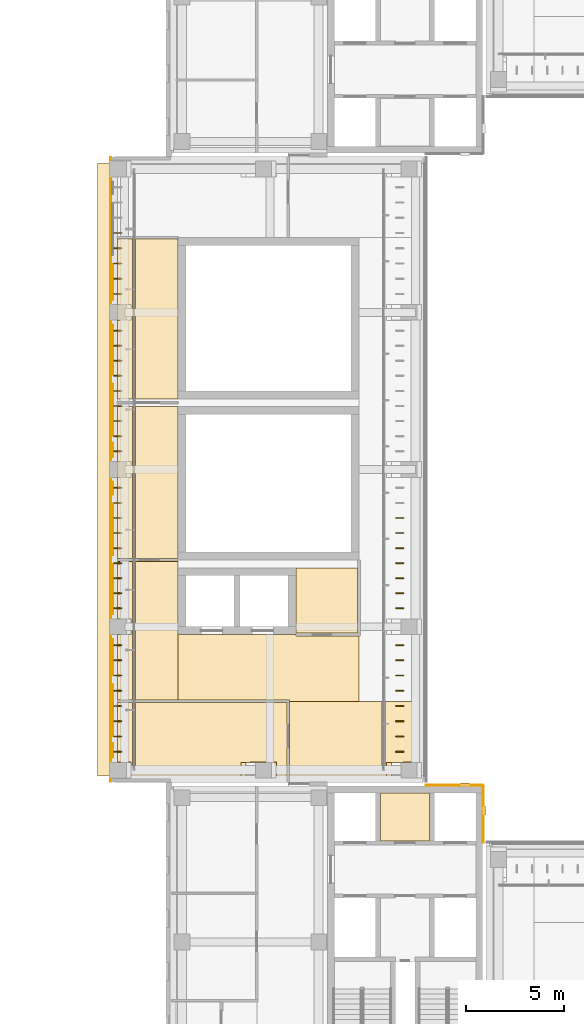
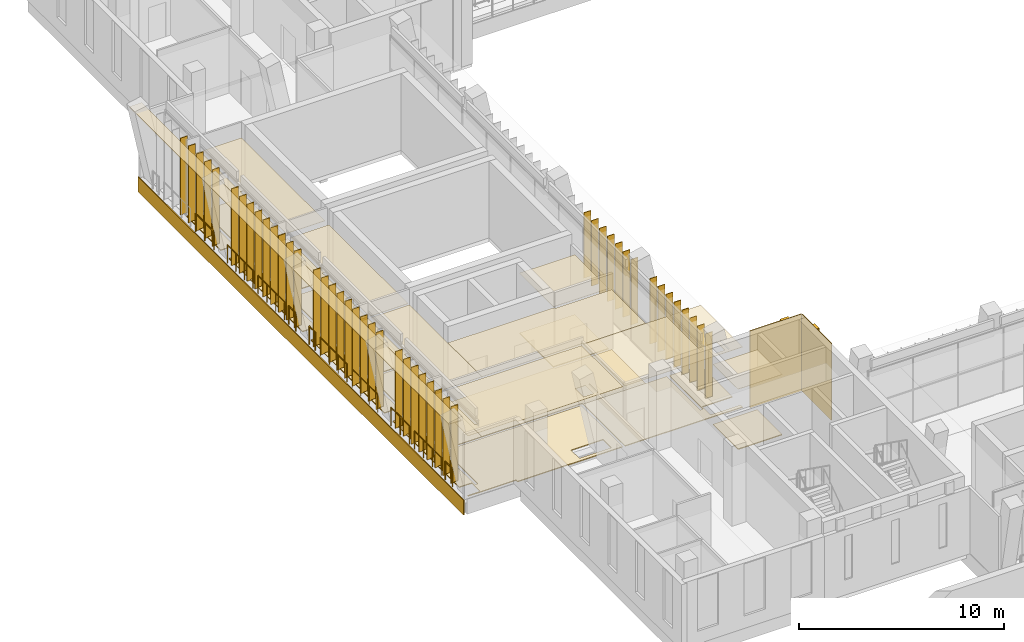
# One storey, part 75 of 89: 46 shading devices, 22 coverings, 10 railings.
"""IFC4 building model written with IfcOpenShell, lengths in metres."""

import ifcopenshell
import ifcopenshell.guid

model = None  # the IFC model being written
_history = None  # IfcOwnerHistory: only IFC2X3 demands one
_inside = {}  # id of a spatial element -> (the spatial element, [elements in it])
_under = {}  # id of a project, library or spatial element -> (it, [spatial elements below it])
_declared = {}  # id of a project -> (the project, [libraries it declares])
_typed = {}  # id of a type object -> (the type object, [elements of that type])
_made_of = {}  # id of a material, layer set ... -> (it, [elements and type objects made of it])


def new_model(schema):
    """Start an empty IFC model of exactly this schema.

    Asked for "IFC4X3", IfcOpenShell would pick the latest addendum, in which some entities
    have other attributes; the version numbers below select the first issue.
    IFC2X3 requires an IfcOwnerHistory on every rooted entity: one is made here for all.
    """
    global model, _history
    if schema == "IFC4X3":
        model = ifcopenshell.file(schema_version=(4, 3, 0, 0))
    else:
        model = ifcopenshell.file(schema=schema)
    _inside.clear()
    _under.clear()
    _declared.clear()
    _typed.clear()
    _made_of.clear()
    _history = None
    if model.schema == "IFC2X3":
        org = make("IfcOrganization", Name="unknown")
        user = make(
            "IfcPersonAndOrganization",
            ThePerson=make("IfcPerson", FamilyName="unknown"),
            TheOrganization=org,
        )
        app = make(
            "IfcApplication",
            ApplicationDeveloper=org,
            Version="unknown",
            ApplicationFullName="unknown",
            ApplicationIdentifier="unknown",
        )
        _history = make(
            "IfcOwnerHistory",
            OwningUser=user,
            OwningApplication=app,
            ChangeAction="ADDED",
            CreationDate=0,
        )
    return model


def make(cls, **values):
    """One entity of the class cls with the attributes given. An attribute that is None is left unset."""
    return model.create_entity(
        cls, **{name: value for name, value in values.items() if value is not None}
    )


def rooted(cls, **values):
    """An entity with a GlobalId (a new one), such as an element, a storey or a relation."""
    return make(cls, GlobalId=ifcopenshell.guid.new(), OwnerHistory=_history, **values)


def si_unit(unit_type, name, prefix=None):
    """IfcSIUnit, for example si_unit("LENGTHUNIT", "METRE", prefix="MILLI")."""
    return make("IfcSIUnit", UnitType=unit_type, Prefix=prefix, Name=name)


def assignment(units):
    """IfcUnitAssignment: the units of a project."""
    return None if units is None else make("IfcUnitAssignment", Units=units)


def point(xyz):
    """IfcCartesianPoint."""
    return None if xyz is None else make("IfcCartesianPoint", Coordinates=xyz)


def direction(xyz):
    """IfcDirection."""
    return None if xyz is None else make("IfcDirection", DirectionRatios=xyz)


def frame(location, z_axis=None, x_axis=None):
    """IfcAxis2Placement3D, a coordinate frame: its origin and axes. An axis left out is left unset."""
    return make(
        "IfcAxis2Placement3D",
        Location=point(location),
        Axis=direction(z_axis),
        RefDirection=direction(x_axis),
    )


def frame_2d(location, x_axis=None):
    """IfcAxis2Placement2D, a coordinate frame in the plane: its origin and x axis."""
    return make(
        "IfcAxis2Placement2D", Location=point(location), RefDirection=direction(x_axis)
    )


def origin():
    """The frame at (0, 0, 0) with its axes left unset."""
    return frame((0.0, 0.0, 0.0))


def origin_2d():
    """The frame at (0, 0) in the plane with its x axis left unset."""
    return frame_2d((0.0, 0.0))


def place(relative_to, where):
    """IfcLocalPlacement: puts the frame where relative to a parent placement (None: the world)."""
    return make(
        "IfcLocalPlacement", PlacementRelTo=relative_to, RelativePlacement=where
    )


def context(
    kind, dimensions, precision=None, world=None, true_north=None, identifier=None
):
    """IfcGeometricRepresentationContext, for example the 3D "Model" context."""
    return make(
        "IfcGeometricRepresentationContext",
        ContextIdentifier=identifier,
        ContextType=kind,
        CoordinateSpaceDimension=dimensions,
        Precision=precision,
        WorldCoordinateSystem=world,
        TrueNorth=true_north,
    )


def subcontext(parent, identifier, kind, view, scale=None):
    """IfcGeometricRepresentationSubContext, for example "Body" below "Model"."""
    return make(
        "IfcGeometricRepresentationSubContext",
        ContextIdentifier=identifier,
        ContextType=kind,
        ParentContext=parent,
        TargetScale=scale,
        TargetView=view,
    )


def project(units=None, contexts=None):
    """IfcProject with its units and contexts."""
    return rooted(
        "IfcProject",
        Name="project",
        RepresentationContexts=contexts,
        UnitsInContext=assignment(units),
    )


def spatial(cls, under=None, at=None, **own):
    """A site, building, storey or space (cls), placed at a placement, below another one or the project."""
    s = rooted(cls, ObjectPlacement=at, **own)
    if under is not None:
        _under.setdefault(under.id(), (under, []))[1].append(s)
    return s


def polyline(points):
    """IfcPolyline through the points."""
    return make("IfcPolyline", Points=[point(p) for p in points])


def profile(cls, at=None, kind="AREA", **sizes):
    """A parametric profile (cls). Its sizes go by their IFC names, for example OverallWidth=200.0."""
    return make(cls, ProfileType=kind, Position=at, **sizes)


def rectangle(**sizes):
    """IfcRectangleProfileDef."""
    return profile("IfcRectangleProfileDef", **sizes)


def circle(**sizes):
    """IfcCircleProfileDef."""
    return profile("IfcCircleProfileDef", **sizes)


def outline(outer, holes=None, kind="AREA"):
    """IfcArbitraryClosedProfileDef: a profile drawn as a closed curve; with holes, ...WithVoids."""
    if holes is None:
        return make("IfcArbitraryClosedProfileDef", ProfileType=kind, OuterCurve=outer)
    return make(
        "IfcArbitraryProfileDefWithVoids",
        ProfileType=kind,
        OuterCurve=outer,
        InnerCurves=holes,
    )


def extrude(swept, where, along, depth):
    """IfcExtrudedAreaSolid: the profile swept, set in the frame where, extruded along a direction by depth."""
    return make(
        "IfcExtrudedAreaSolid",
        SweptArea=swept,
        Position=where,
        ExtrudedDirection=direction(along),
        Depth=depth,
    )


def shape(context_of_items, identifier, shape_type, items):
    """IfcShapeRepresentation: the items that make up one representation, for example the "Body"."""
    return make(
        "IfcShapeRepresentation",
        ContextOfItems=context_of_items,
        RepresentationIdentifier=identifier,
        RepresentationType=shape_type,
        Items=items,
    )


def material(Name=None, Category=None):
    """IfcMaterial."""
    return make("IfcMaterial", Name=Name, Category=Category)


def layer(
    of_material, thickness, ventilated=None, Name=None, Category=None, Priority=None
):
    """IfcMaterialLayer: one layer of a wall or slab, of a material (None: an air gap)."""
    return make(
        "IfcMaterialLayer",
        Material=of_material,
        LayerThickness=thickness,
        IsVentilated=ventilated,
        Name=Name,
        Category=Category,
        Priority=Priority,
    )


def layer_set(layers, Name=None):
    """IfcMaterialLayerSet."""
    return make("IfcMaterialLayerSet", MaterialLayers=layers, LayerSetName=Name)


def made_of(thing, what):
    """Note that an element or type object is made of a material, layer set ...; save() writes the relation."""
    if what is not None:
        _made_of.setdefault(what.id(), (what, []))[1].append(thing)
    return thing


def type_object(cls, material=None, **own):
    """A type object (cls), such as IfcWallType, which elements share."""
    return made_of(rooted(cls, **own), material)


def element(
    cls,
    number,
    at=None,
    inside=None,
    cuts=None,
    type_object=None,
    material=None,
    context=None,
    identifier="Body",
    shape_type=None,
    held_by="IfcProductDefinitionShape",
    body=None,
    shapes=None,
    **own,
):
    """One element of the class cls, such as IfcWall. Its Tag is "e" and its number.

    at: its placement. inside: the storey or other place that contains it. cuts: it is an
    opening in that element (IfcRelVoidsElement). A single representation is given by context,
    identifier, shape_type and body (its items); several are given by shapes. held_by: the class
    of the entity that holds the representations. save() writes the other relations.
    """
    e = rooted(cls, Tag="e%d" % number, ObjectPlacement=at, **own)
    if body is not None:
        shapes = [shape(context, identifier, shape_type, body)]
    if shapes is not None:
        e.Representation = make(held_by, Representations=shapes)
    if inside is not None:
        _inside.setdefault(inside.id(), (inside, []))[1].append(e)
    if cuts is not None:
        rooted(
            "IfcRelVoidsElement", RelatingBuildingElement=cuts, RelatedOpeningElement=e
        )
    if type_object is not None:
        _typed.setdefault(type_object.id(), (type_object, []))[1].append(e)
    return made_of(e, material)


def aggregate(whole, parts):
    """IfcRelAggregates: a whole, such as a stair, and the parts it consists of."""
    return rooted("IfcRelAggregates", RelatingObject=whole, RelatedObjects=parts)


def save(model, path):
    """Write the relations noted so far, then the file.

    IfcRelAggregates (storeys below a building ...), IfcRelContainedInSpatialStructure (elements
    in a storey), IfcRelDefinesByType, IfcRelAssociatesMaterial and IfcRelDeclares: one each for
    every whole, place, type object, material and project.
    """
    for whole, parts in _under.values():
        aggregate(whole, parts)
    for where, things in _inside.values():
        rooted(
            "IfcRelContainedInSpatialStructure",
            RelatedElements=things,
            RelatingStructure=where,
        )
    for kind, things in _typed.values():
        rooted("IfcRelDefinesByType", RelatedObjects=things, RelatingType=kind)
    for what, things in _made_of.values():
        rooted("IfcRelAssociatesMaterial", RelatedObjects=things, RelatingMaterial=what)
    for by, libraries in _declared.values():
        rooted("IfcRelDeclares", RelatingContext=by, RelatedDefinitions=libraries)
    model.write(path)


model = new_model("IFC4")

# Units and contexts
model_context = context("Model", 3, precision=1e-05, world=origin(), true_north=direction((0.0, 1.0)))
body_context = subcontext(model_context, "Body", "Model", "MODEL_VIEW")
ifc_project = project(units=[si_unit("LENGTHUNIT", "METRE"), si_unit("AREAUNIT", "SQUARE_METRE"), si_unit("VOLUMEUNIT", "CUBIC_METRE"), si_unit("PLANEANGLEUNIT", "RADIAN"), si_unit("MASSUNIT", "GRAM", prefix="KILO")], contexts=[model_context])

# Site, building, storey
site_placement = place(None, origin())
site = spatial("IfcSite", under=ifc_project, at=site_placement, CompositionType="ELEMENT")
building_placement = place(site_placement, origin())
building = spatial("IfcBuilding", under=site, at=building_placement, Name="Lantern Court Media Centre", CompositionType="ELEMENT")
storey_placement = place(building_placement, frame((0.0, 0.0, 14.39990234375)))
storey = spatial("IfcBuildingStorey", under=building, at=storey_placement, Name="L03", CompositionType="ELEMENT", Elevation=14.39990234375)

# Coverings
ifc_material_1 = material(Name="Carpet")
ifc_layer_1 = layer(ifc_material_1, 0.050048828125)
ifc_layer_set_1 = layer_set([ifc_layer_1], Name="Carpet")
covering_type_1 = type_object("IfcCoveringType", Name="Carpet floor finish", PredefinedType="FLOORING", material=ifc_layer_set_1)
covering_1_placement = place(storey_placement, origin())
element("IfcCovering", 1, at=covering_1_placement, inside=storey, type_object=covering_type_1, Name="Projection Room Screen 5 floor finish", PredefinedType="FLOORING", context=body_context, shape_type="SweptSolid", body=[
    extrude(outline(polyline([(5.300048828125, 68.132568359375), (6.070068359375, 68.132568359375), (6.074951171875, 64.89501953125), (6.22998046875, 64.89990234375), (6.22998046875, 68.132568359375), (13.9326171875, 68.132568359375), (13.9326171875, 64.10009765625), (8.0048828125, 64.10009765625), (8.00048828125, 64.244873046875), (5.300048828125, 64.2451171875), (5.300048828125, 64.294921875), (6.0048828125, 64.300048828125), (6.00390625, 65.103271484375), (5.300048828125, 65.10498046875), (5.300048828125, 68.132568359375)]), holes=[polyline([(13.39990234375, 64.294921875), (13.40185546875, 65.104736328125), (11.595458984375, 65.101806640625), (11.59814453125, 64.29541015625), (13.39990234375, 64.294921875)])]), origin(), (0.0, 0.0, 1.0), 0.050048828125),
])
covering_2_placement = place(storey_placement, origin())
element("IfcCovering", 2, at=covering_2_placement, inside=storey, type_object=covering_type_1, Name="Cinema Club Room floor finish", PredefinedType="FLOORING", context=body_context, shape_type="SweptSolid", body=[
    extrude(outline(polyline([(8.39501953125, 83.199951171875), (8.39501953125, 75.467529296875), (6.22998046875, 75.467529296875), (6.22509765625, 79.804931640625), (6.070068359375, 79.800048828125), (6.070068359375, 75.467529296875), (5.300048828125, 75.467529296875), (5.300048828125, 79.594970703125), (6.0048828125, 79.60009765625), (6.00390625, 80.403076171875), (5.300048828125, 80.405029296875), (5.300048828125, 83.199951171875), (6.070068359375, 83.199951171875), (6.074951171875, 80.195068359375), (6.22998046875, 80.199462890625), (6.22998046875, 83.199951171875), (8.39501953125, 83.199951171875)])), origin(), (0.0, 0.0, 1.0), 0.050048828125),
])
covering_3_placement = place(storey_placement, origin())
element("IfcCovering", 3, at=covering_3_placement, inside=storey, type_object=covering_type_1, Name="Cinema Club Room floor finish", PredefinedType="FLOORING", context=body_context, shape_type="SweptSolid", body=[
    extrude(outline(polyline([(5.300048828125, 91.7451171875), (6.070068359375, 91.7451171875), (6.074951171875, 88.195068359375), (6.22998046875, 88.199951171875), (6.22998046875, 91.7451171875), (8.39501953125, 91.7451171875), (8.39501953125, 83.60009765625), (6.22998046875, 83.60009765625), (6.22509765625, 87.804931640625), (6.070068359375, 87.800048828125), (6.070068359375, 83.60009765625), (5.300048828125, 83.60009765625), (5.300048828125, 87.594970703125), (6.0048828125, 87.60009765625), (6.00390625, 88.403076171875), (5.300048828125, 88.405029296875), (5.300048828125, 91.7451171875)])), origin(), (0.0, 0.0, 1.0), 0.050048828125),
])
ifc_material_2 = material(Name="Ceramic tile")
ifc_layer_2 = layer(ifc_material_2, 0.050048828125)
ifc_layer_set_2 = layer_set([ifc_layer_2], Name="Ceramic tile")
covering_type_2 = type_object("IfcCoveringType", Name="Ceramic tile floor finish", PredefinedType="FLOORING", material=ifc_layer_set_2)
covering_4_placement = place(storey_placement, origin())
element("IfcCovering", 4, at=covering_4_placement, inside=storey, type_object=covering_type_2, Name="Accessible WC floor finish", PredefinedType="FLOORING", context=body_context, shape_type="SweptSolid", body=[
    extrude(outline(polyline([(17.52001953125, 75.0), (17.52001953125, 71.679931640625), (14.405029296875, 71.679931640625), (14.405029296875, 75.0), (17.52001953125, 75.0)])), origin(), (0.0, 0.0, 1.0), 0.050048828125),
])
covering_5_placement = place(storey_placement, origin())
element("IfcCovering", 5, at=covering_5_placement, inside=storey, type_object=covering_type_2, Name="Accessible WC floor finish", PredefinedType="FLOORING", context=body_context, shape_type="SweptSolid", body=[
    extrude(outline(polyline([(21.195068359375, 63.544921875), (21.195068359375, 61.10498046875), (18.705078125, 61.10498046875), (18.705078125, 63.544921875), (21.195068359375, 63.544921875)])), origin(), (0.0, 0.0, 1.0), 0.050048828125),
])

# Railings
ifc_material_3 = material(Name="Powder-coated steel", Category="steel")
railing_type = type_object("IfcRailingType", Name="Floor edge guard 1100", PredefinedType="GUARDRAIL", material=ifc_material_3)
railing_1_placement = place(storey_placement, frame((5.06005859375, 65.35888671875, 0.0)))
element("IfcRailing", 6, at=railing_1_placement, inside=storey, type_object=railing_type, Name="L03 edge guard 70", PredefinedType="GUARDRAIL", context=body_context, shape_type="SweptSolid", body=[
    extrude(circle(Radius=0.02392578125, at=origin_2d()), frame((0.0, 0.0, 1.076171875), z_axis=(0.0, 1.0, 0.0), x_axis=(-1.0, 0.0, 0.0)), (0.0, 0.0, 1.0), 0.69921875),
    extrude(circle(Radius=0.02099609375, at=origin_2d()), origin(), (0.0, 0.0, 1.0), 1.052001953125),
    extrude(circle(Radius=0.02099609375, at=origin_2d()), frame((0.0, 0.69921875, 0.0)), (0.0, 0.0, 1.0), 1.052001953125),
])
railing_2_placement = place(storey_placement, frame((5.06005859375, 66.4580078125, 0.0)))
element("IfcRailing", 7, at=railing_2_placement, inside=storey, type_object=railing_type, Name="L03 edge guard 71", PredefinedType="GUARDRAIL", context=body_context, shape_type="SweptSolid", body=[
    extrude(circle(Radius=0.02392578125, at=origin_2d()), frame((0.0, 0.0, 1.076171875), z_axis=(0.0, 1.0, 0.0), x_axis=(-1.0, 0.0, 0.0)), (0.0, 0.0, 1.0), 2.597900390625),
    extrude(circle(Radius=0.02099609375, at=origin_2d()), origin(), (0.0, 0.0, 1.0), 1.052001953125),
    extrude(circle(Radius=0.02099609375, at=origin_2d()), frame((0.0, 0.865966796875, 0.0)), (0.0, 0.0, 1.0), 1.052001953125),
    extrude(circle(Radius=0.02099609375, at=origin_2d()), frame((0.0, 1.73193359375, 0.0)), (0.0, 0.0, 1.0), 1.052001953125),
    extrude(circle(Radius=0.02099609375, at=origin_2d()), frame((0.0, 2.597900390625, 0.0)), (0.0, 0.0, 1.0), 1.052001953125),
])
railing_3_placement = place(storey_placement, frame((5.06005859375, 69.554931640625, 0.0)))
element("IfcRailing", 8, at=railing_3_placement, inside=storey, type_object=railing_type, Name="L03 edge guard 72", PredefinedType="GUARDRAIL", context=body_context, shape_type="SweptSolid", body=[
    extrude(circle(Radius=0.02392578125, at=origin_2d()), frame((0.0, 0.0, 1.076171875), z_axis=(0.0, 1.0, 0.0), x_axis=(-1.0, 0.0, 0.0)), (0.0, 0.0, 1.0), 1.799072265625),
    extrude(circle(Radius=0.02099609375, at=origin_2d()), origin(), (0.0, 0.0, 1.0), 1.052001953125),
    extrude(circle(Radius=0.02099609375, at=origin_2d()), frame((0.0, 0.8994140625, 0.0)), (0.0, 0.0, 1.0), 1.052001953125),
    extrude(circle(Radius=0.02099609375, at=origin_2d()), frame((0.0, 1.799072265625, 0.0)), (0.0, 0.0, 1.0), 1.052001953125),
])
railing_4_placement = place(storey_placement, frame((5.06005859375, 72.653076171875, 0.0)))
element("IfcRailing", 9, at=railing_4_placement, inside=storey, type_object=railing_type, Name="L03 edge guard 73", PredefinedType="GUARDRAIL", context=body_context, shape_type="SweptSolid", body=[
    extrude(circle(Radius=0.02392578125, at=origin_2d()), frame((0.0, 0.0, 1.076171875), z_axis=(0.0, 1.0, 0.0), x_axis=(-1.0, 0.0, 0.0)), (0.0, 0.0, 1.0), 2.497802734375),
    extrude(circle(Radius=0.02099609375, at=origin_2d()), origin(), (0.0, 0.0, 1.0), 1.052001953125),
    extrude(circle(Radius=0.02099609375, at=origin_2d()), frame((0.0, 0.83251953125, 0.0)), (0.0, 0.0, 1.0), 1.052001953125),
    extrude(circle(Radius=0.02099609375, at=origin_2d()), frame((0.0, 1.665283203125, 0.0)), (0.0, 0.0, 1.0), 1.052001953125),
    extrude(circle(Radius=0.02099609375, at=origin_2d()), frame((0.0, 2.497802734375, 0.0)), (0.0, 0.0, 1.0), 1.052001953125),
])
railing_5_placement = place(storey_placement, frame((5.06005859375, 75.64990234375, 0.0)))
element("IfcRailing", 10, at=railing_5_placement, inside=storey, type_object=railing_type, Name="L03 edge guard 74", PredefinedType="GUARDRAIL", context=body_context, shape_type="SweptSolid", body=[
    extrude(circle(Radius=0.02392578125, at=origin_2d()), frame((0.0, 0.0, 1.076171875), z_axis=(0.0, 1.0, 0.0), x_axis=(-1.0, 0.0, 0.0)), (0.0, 0.0, 1.0), 2.59814453125),
    extrude(circle(Radius=0.02099609375, at=origin_2d()), origin(), (0.0, 0.0, 1.0), 1.052001953125),
    extrude(circle(Radius=0.02099609375, at=origin_2d()), frame((0.0, 0.865966796875, 0.0)), (0.0, 0.0, 1.0), 1.052001953125),
    extrude(circle(Radius=0.02099609375, at=origin_2d()), frame((0.0, 1.732177734375, 0.0)), (0.0, 0.0, 1.0), 1.052001953125),
    extrude(circle(Radius=0.02099609375, at=origin_2d()), frame((0.0, 2.59814453125, 0.0)), (0.0, 0.0, 1.0), 1.052001953125),
])
railing_6_placement = place(storey_placement, frame((5.06005859375, 78.748046875, 0.0)))
element("IfcRailing", 11, at=railing_6_placement, inside=storey, type_object=railing_type, Name="L03 edge guard 75", PredefinedType="GUARDRAIL", context=body_context, shape_type="SweptSolid", body=[
    extrude(circle(Radius=0.02392578125, at=origin_2d()), frame((0.0, 0.0, 1.076171875), z_axis=(0.0, 1.0, 0.0), x_axis=(-1.0, 0.0, 0.0)), (0.0, 0.0, 1.0), 0.598876953125),
    extrude(circle(Radius=0.02099609375, at=origin_2d()), origin(), (0.0, 0.0, 1.0), 1.052001953125),
    extrude(circle(Radius=0.02099609375, at=origin_2d()), frame((0.0, 0.598876953125, 0.0)), (0.0, 0.0, 1.0), 1.052001953125),
])
railing_7_placement = place(storey_placement, frame((5.06005859375, 80.64599609375, 0.0)))
element("IfcRailing", 12, at=railing_7_placement, inside=storey, type_object=railing_type, Name="L03 edge guard 76", PredefinedType="GUARDRAIL", context=body_context, shape_type="SweptSolid", body=[
    extrude(circle(Radius=0.02392578125, at=origin_2d()), frame((0.0, 0.0, 1.076171875), z_axis=(0.0, 1.0, 0.0), x_axis=(-1.0, 0.0, 0.0)), (0.0, 0.0, 1.0), 0.698974609375),
    extrude(circle(Radius=0.02099609375, at=origin_2d()), origin(), (0.0, 0.0, 1.0), 1.052001953125),
    extrude(circle(Radius=0.02099609375, at=origin_2d()), frame((0.0, 0.698974609375, 0.0)), (0.0, 0.0, 1.0), 1.052001953125),
])
railing_8_placement = place(storey_placement, frame((5.06005859375, 81.7451171875, 0.0)))
element("IfcRailing", 13, at=railing_8_placement, inside=storey, type_object=railing_type, Name="L03 edge guard 77", PredefinedType="GUARDRAIL", context=body_context, shape_type="SweptSolid", body=[
    extrude(circle(Radius=0.02392578125, at=origin_2d()), frame((0.0, 0.0, 1.076171875), z_axis=(0.0, 1.0, 0.0), x_axis=(-1.0, 0.0, 0.0)), (0.0, 0.0, 1.0), 2.597900390625),
    extrude(circle(Radius=0.02099609375, at=origin_2d()), origin(), (0.0, 0.0, 1.0), 1.052001953125),
    extrude(circle(Radius=0.02099609375, at=origin_2d()), frame((0.0, 0.865966796875, 0.0)), (0.0, 0.0, 1.0), 1.052001953125),
    extrude(circle(Radius=0.02099609375, at=origin_2d()), frame((0.0, 1.73193359375, 0.0)), (0.0, 0.0, 1.0), 1.052001953125),
    extrude(circle(Radius=0.02099609375, at=origin_2d()), frame((0.0, 2.597900390625, 0.0)), (0.0, 0.0, 1.0), 1.052001953125),
])
railing_9_placement = place(storey_placement, frame((5.06005859375, 84.842041015625, 0.0)))
element("IfcRailing", 14, at=railing_9_placement, inside=storey, type_object=railing_type, Name="L03 edge guard 78", PredefinedType="GUARDRAIL", context=body_context, shape_type="SweptSolid", body=[
    extrude(circle(Radius=0.02392578125, at=origin_2d()), frame((0.0, 0.0, 1.076171875), z_axis=(0.0, 1.0, 0.0), x_axis=(-1.0, 0.0, 0.0)), (0.0, 0.0, 1.0), 2.498046875),
    extrude(circle(Radius=0.02099609375, at=origin_2d()), origin(), (0.0, 0.0, 1.0), 1.052001953125),
    extrude(circle(Radius=0.02099609375, at=origin_2d()), frame((0.0, 0.832763671875, 0.0)), (0.0, 0.0, 1.0), 1.052001953125),
    extrude(circle(Radius=0.02099609375, at=origin_2d()), frame((0.0, 1.665283203125, 0.0)), (0.0, 0.0, 1.0), 1.052001953125),
    extrude(circle(Radius=0.02099609375, at=origin_2d()), frame((0.0, 2.498046875, 0.0)), (0.0, 0.0, 1.0), 1.052001953125),
])
railing_10_placement = place(storey_placement, frame((5.06005859375, 88.638916015625, 0.0)))
element("IfcRailing", 15, at=railing_10_placement, inside=storey, type_object=railing_type, Name="L03 edge guard 79", PredefinedType="GUARDRAIL", context=body_context, shape_type="SweptSolid", body=[
    extrude(circle(Radius=0.02392578125, at=origin_2d()), frame((0.0, 0.0, 1.076171875), z_axis=(0.0, 1.0, 0.0), x_axis=(-1.0, 0.0, 0.0)), (0.0, 0.0, 1.0), 1.799072265625),
    extrude(circle(Radius=0.02099609375, at=origin_2d()), origin(), (0.0, 0.0, 1.0), 1.052001953125),
    extrude(circle(Radius=0.02099609375, at=origin_2d()), frame((0.0, 0.8994140625, 0.0)), (0.0, 0.0, 1.0), 1.052001953125),
    extrude(circle(Radius=0.02099609375, at=origin_2d()), frame((0.0, 1.799072265625, 0.0)), (0.0, 0.0, 1.0), 1.052001953125),
])

# Coverings
ifc_material_4 = material(Name="White glass-fibre reinforced cement cladding", Category="concrete")
ifc_layer_3 = layer(ifc_material_4, 0.050048828125)
ifc_layer_set_3 = layer_set([ifc_layer_3], Name="White glass-fibre reinforced cement cladding")
covering_type_3 = type_object("IfcCoveringType", Name="Floor-edge band 50", PredefinedType="CLADDING", material=ifc_layer_set_3)
covering_6_placement = place(storey_placement, frame((4.97509765625, 64.10009765625, -0.89990234375), z_axis=(0.0, 0.0, 1.0), x_axis=(0.0, 1.0, 0.0)))
element("IfcCovering", 16, at=covering_6_placement, inside=storey, type_object=covering_type_3, Name="Floor-edge band W outer L03", PredefinedType="CLADDING", context=body_context, shape_type="SweptSolid", body=[
    extrude(rectangle(XDim=31.7998046875, YDim=0.050048828125, at=frame_2d((15.89990234375, 0.0))), origin(), (0.0, 0.0, 1.0), 0.89990234375),
])
ifc_material_5 = material(Name="Honed limestone cladding", Category="masonry")
ifc_layer_4 = layer(ifc_material_5, 0.050048828125)
ifc_layer_set_4 = layer_set([ifc_layer_4], Name="Honed limestone cladding")
covering_type_4 = type_object("IfcCoveringType", Name="Limestone cladding panel 50", PredefinedType="CLADDING", material=ifc_layer_set_4)
for number, where, z_axis, x_axis, name in (
    (17, (23.925048828125, 61.0, 0.0), (0.0, 0.0, 1.0), (0.0, 1.0, 0.0), "Limestone joint cladding S-SW L03"),
    (18, (21.0, 63.925048828125, 0.0), (0.0, 0.0, 1.0), (1.0, 0.0, 0.0), "Limestone joint cladding W-SW L03"),
):
    element("IfcCovering", number, at=place(storey_placement, frame(where, z_axis=z_axis, x_axis=x_axis)), inside=storey, type_object=covering_type_4, Name=name, PredefinedType="CLADDING", context=body_context, shape_type="SweptSolid", body=[
        extrude(rectangle(XDim=2.89990234375, YDim=0.050048828125, at=frame_2d((1.449951171875, 0.0))), origin(), (0.0, 0.0, 1.0), 4.580078125),
    ])
ifc_layer_5 = layer(ifc_material_5, 0.14990234375)
ifc_layer_set_5 = layer_set([ifc_layer_5], Name="Honed limestone cladding")
covering_type_5 = type_object("IfcCoveringType", Name="Limestone pilaster cladding 150", PredefinedType="CLADDING", material=ifc_layer_set_5)
covering_7_placement = place(storey_placement, frame((22.77490234375, 63.97509765625, 0.0), z_axis=(0.0, 0.0, 1.0), x_axis=(1.0, 0.0, 0.0)))
element("IfcCovering", 19, at=covering_7_placement, inside=storey, type_object=covering_type_5, Name="Limestone pilaster rib", PredefinedType="CLADDING", context=body_context, shape_type="SweptSolid", body=[
    extrude(rectangle(XDim=0.4501953125, YDim=0.14990234375, at=frame_2d((0.22509765625, 0.0))), origin(), (0.0, 0.0, 1.0), 4.580078125),
])
covering_8_placement = place(storey_placement, frame((23.97509765625, 62.425048828125, 0.0), z_axis=(0.0, 0.0, 1.0), x_axis=(0.0, 1.0, 0.0)))
element("IfcCovering", 20, at=covering_8_placement, inside=storey, type_object=covering_type_5, Name="Limestone pilaster rib", PredefinedType="CLADDING", context=body_context, shape_type="SweptSolid", body=[
    extrude(rectangle(XDim=0.449951171875, YDim=0.14990234375, at=frame_2d((0.22509765625, 0.0))), origin(), (0.0, 0.0, 1.0), 4.580078125),
])
ifc_material_6 = material(Name="White fibre cement soffit board")
ifc_layer_6 = layer(ifc_material_6, 0.0400390625)
ifc_layer_set_6 = layer_set([ifc_layer_6], Name="White fibre cement soffit board")
covering_type_6 = type_object("IfcCoveringType", Name="Soffit lining 40", PredefinedType="CLADDING", material=ifc_layer_set_6)
covering_9_placement = place(storey_placement, frame((4.64990234375, 64.39990234375, 4.5400390625), z_axis=(0.0, 0.0, 1.0), x_axis=(0.0, 1.0, 0.0)))
element("IfcCovering", 21, at=covering_9_placement, inside=storey, type_object=covering_type_6, Name="Soffit lining W L03", PredefinedType="CLADDING", context=body_context, shape_type="SweptSolid", body=[
    extrude(rectangle(XDim=31.2001953125, YDim=0.699951171875, at=frame_2d((15.60009765625, 0.0))), origin(), (0.0, 0.0, 1.0), 0.0400390625),
])
ifc_material_7 = material(Name="Mineral fibre ceiling tile")
ifc_layer_7 = layer(ifc_material_7, 0.02001953125)
ifc_layer_set_7 = layer_set([ifc_layer_7], Name="Mineral fibre ceiling tile")
covering_type_7 = type_object("IfcCoveringType", Name="Suspended ceiling tile", PredefinedType="CEILING", material=ifc_layer_set_7)
covering_10_placement = place(storey_placement, frame((0.0, 0.0, 3.60009765625)))
element("IfcCovering", 22, at=covering_10_placement, inside=storey, type_object=covering_type_7, Name="Projection Room Screen 5 ceiling", PredefinedType="CEILING", context=body_context, shape_type="SweptSolid", body=[
    extrude(outline(polyline([(6.2294921875, 68.199951171875), (6.22998046875, 68.136962890625), (13.93701171875, 68.136962890625), (13.93701171875, 64.10009765625), (8.00048828125, 64.10009765625), (8.0, 64.240478515625), (5.300048828125, 64.240478515625), (5.300048828125, 68.136962890625), (6.070068359375, 68.136962890625), (6.074462890625, 68.199951171875), (6.074462890625, 64.89990234375), (6.22509765625, 64.8994140625), (6.2294921875, 68.199951171875)]), holes=[polyline([(12.64794921875, 64.299560546875), (12.6484375, 65.10009765625), (12.599853515625, 65.1005859375), (12.599609375, 64.300048828125), (12.64794921875, 64.299560546875)]), polyline([(11.847900390625, 65.1005859375), (11.847412109375, 64.2998046875), (12.400390625, 64.299560546875), (12.400390625, 65.100341796875), (11.847900390625, 65.1005859375)])]), origin(), (0.0, 0.0, 1.0), 0.02001953125),
])
covering_11_placement = place(storey_placement, frame((0.0, 0.0, 3.60009765625)))
element("IfcCovering", 23, at=covering_11_placement, inside=storey, type_object=covering_type_7, Name="End Lobby ceiling", PredefinedType="CEILING", context=body_context, shape_type="SweptSolid", body=[
    extrude(outline(polyline([(20.699951171875, 68.199951171875), (20.699951171875, 64.10009765625), (14.06298828125, 64.1005859375), (14.06298828125, 68.199951171875), (18.7744140625, 68.199951171875), (18.77490234375, 64.8994140625), (18.925537109375, 64.89990234375), (18.925537109375, 68.199951171875), (20.699951171875, 68.199951171875)]), holes=[polyline([(20.04833984375, 65.10009765625), (19.99951171875, 65.10009765625), (20.0, 64.299560546875), (20.04833984375, 64.300048828125), (20.04833984375, 65.10009765625)]), polyline([(19.800537109375, 65.10009765625), (19.24755859375, 65.100341796875), (19.24755859375, 64.299560546875), (19.800537109375, 64.2998046875), (19.800537109375, 65.10009765625)])]), origin(), (0.0, 0.0, 1.0), 0.02001953125),
])
covering_12_placement = place(storey_placement, frame((0.0, 0.0, 3.60009765625)))
element("IfcCovering", 24, at=covering_12_placement, inside=storey, type_object=covering_type_7, Name="Cinema Club Room ceiling", PredefinedType="CEILING", context=body_context, shape_type="SweptSolid", body=[
    extrude(outline(polyline([(8.3994140625, 83.199951171875), (8.3994140625, 75.462890625), (6.22998046875, 75.462890625), (6.2255859375, 75.39990234375), (6.22509765625, 79.800537109375), (6.074462890625, 79.800048828125), (6.074462890625, 75.39990234375), (6.070068359375, 75.462890625), (5.300048828125, 75.462890625), (5.300048828125, 83.199951171875), (6.074462890625, 83.199951171875), (6.074951171875, 80.199462890625), (6.2255859375, 80.199951171875), (6.2255859375, 83.199951171875), (8.3994140625, 83.199951171875)])), origin(), (0.0, 0.0, 1.0), 0.02001953125),
])
covering_13_placement = place(storey_placement, frame((0.0, 0.0, 3.60009765625)))
element("IfcCovering", 25, at=covering_13_placement, inside=storey, type_object=covering_type_7, Name="Cinema Club Room ceiling", PredefinedType="CEILING", context=body_context, shape_type="SweptSolid", body=[
    extrude(outline(polyline([(6.2294921875, 91.800048828125), (6.22998046875, 91.74951171875), (8.3994140625, 91.74951171875), (8.3994140625, 83.60009765625), (6.2255859375, 83.60009765625), (6.22509765625, 87.800537109375), (6.074462890625, 87.800048828125), (6.074462890625, 83.60009765625), (5.300048828125, 83.60009765625), (5.300048828125, 91.74951171875), (6.070068359375, 91.74951171875), (6.074462890625, 91.800048828125), (6.074462890625, 88.199951171875), (6.22509765625, 88.199462890625), (6.2294921875, 91.800048828125)])), origin(), (0.0, 0.0, 1.0), 0.02001953125),
])
covering_14_placement = place(storey_placement, frame((0.0, 0.0, 3.60009765625)))
element("IfcCovering", 26, at=covering_14_placement, inside=storey, type_object=covering_type_7, Name="Lift Lobby ceiling", PredefinedType="CEILING", context=body_context, shape_type="SweptSolid", body=[
    extrude(outline(polyline([(17.60009765625, 68.199951171875), (14.06298828125, 68.199951171875), (14.0625, 68.262939453125), (8.39990234375, 68.262939453125), (8.39990234375, 71.599609375), (14.3994140625, 71.599609375), (14.39990234375, 71.5244140625), (17.60009765625, 71.5244140625), (17.60009765625, 68.199951171875)])), origin(), (0.0, 0.0, 1.0), 0.02001953125),
])
covering_15_placement = place(storey_placement, frame((0.0, 0.0, 3.60009765625)))
element("IfcCovering", 27, at=covering_15_placement, inside=storey, type_object=covering_type_7, Name="Accessible WC ceiling", PredefinedType="CEILING", context=body_context, shape_type="SweptSolid", body=[
    extrude(outline(polyline([(17.5244140625, 75.0), (17.5244140625, 71.675537109375), (14.400390625, 71.675537109375), (14.400390625, 75.0), (17.5244140625, 75.0)])), origin(), (0.0, 0.0, 1.0), 0.02001953125),
])
covering_16_placement = place(storey_placement, frame((0.0, 0.0, 3.60009765625)))
element("IfcCovering", 28, at=covering_16_placement, inside=storey, type_object=covering_type_7, Name="Cinema Club Lobby ceiling", PredefinedType="CEILING", context=body_context, shape_type="SweptSolid", body=[
    extrude(outline(polyline([(8.39990234375, 68.262939453125), (6.22998046875, 68.262939453125), (6.2255859375, 68.199951171875), (6.22509765625, 71.800537109375), (6.074462890625, 71.800048828125), (6.074462890625, 68.199951171875), (6.070068359375, 68.262939453125), (5.300048828125, 68.262939453125), (5.300048828125, 75.3369140625), (6.070068359375, 75.3369140625), (6.074462890625, 75.39990234375), (6.074951171875, 72.199462890625), (6.2255859375, 72.199951171875), (6.2255859375, 75.39990234375), (6.22998046875, 75.3369140625), (8.39990234375, 75.3369140625), (8.39990234375, 68.262939453125)])), origin(), (0.0, 0.0, 1.0), 0.02001953125),
])
covering_17_placement = place(storey_placement, frame((0.0, 0.0, 3.60009765625)))
element("IfcCovering", 29, at=covering_17_placement, inside=storey, type_object=covering_type_7, Name="Accessible WC ceiling", PredefinedType="CEILING", context=body_context, shape_type="SweptSolid", body=[
    extrude(outline(polyline([(21.199462890625, 61.1005859375), (18.700439453125, 61.1005859375), (18.700439453125, 63.549560546875), (21.199462890625, 63.549560546875), (21.199462890625, 61.1005859375)])), origin(), (0.0, 0.0, 1.0), 0.02001953125),
])
ifc_material_8 = material(Name="Terrazzo")
ifc_layer_8 = layer(ifc_material_8, 0.050048828125)
ifc_layer_set_8 = layer_set([ifc_layer_8], Name="Terrazzo")
covering_type_8 = type_object("IfcCoveringType", Name="Terrazzo floor finish", PredefinedType="FLOORING", material=ifc_layer_set_8)
covering_18_placement = place(storey_placement, origin())
element("IfcCovering", 30, at=covering_18_placement, inside=storey, type_object=covering_type_8, Name="End Lobby floor finish", PredefinedType="FLOORING", context=body_context, shape_type="SweptSolid", body=[
    extrude(outline(polyline([(20.699951171875, 64.10009765625), (14.0673828125, 64.10498046875), (14.0673828125, 68.199951171875), (18.77001953125, 68.199951171875), (18.77490234375, 64.89501953125), (18.929931640625, 64.89990234375), (18.929931640625, 68.199951171875), (20.699951171875, 68.199951171875), (20.699951171875, 65.10498046875), (18.9951171875, 65.10009765625), (18.99755859375, 64.295654296875), (20.699951171875, 64.294921875), (20.699951171875, 64.10009765625)])), origin(), (0.0, 0.0, 1.0), 0.050048828125),
])
covering_19_placement = place(storey_placement, origin())
element("IfcCovering", 31, at=covering_19_placement, inside=storey, type_object=covering_type_8, Name="Lift Lobby floor finish", PredefinedType="FLOORING", context=body_context, shape_type="SweptSolid", body=[
    extrude(outline(polyline([(17.60009765625, 68.199951171875), (14.0673828125, 68.199951171875), (14.0625, 68.267578125), (8.39990234375, 68.267578125), (8.39990234375, 71.594970703125), (14.39501953125, 71.594970703125), (14.39990234375, 71.52001953125), (17.60009765625, 71.52001953125), (17.60009765625, 68.199951171875)])), origin(), (0.0, 0.0, 1.0), 0.050048828125),
])
covering_20_placement = place(storey_placement, origin())
element("IfcCovering", 32, at=covering_20_placement, inside=storey, type_object=covering_type_8, Name="Cinema Club Lobby floor finish", PredefinedType="FLOORING", context=body_context, shape_type="SweptSolid", body=[
    extrude(outline(polyline([(8.39990234375, 68.267578125), (6.22998046875, 68.267578125), (6.22509765625, 71.804931640625), (6.070068359375, 71.800048828125), (6.070068359375, 68.267578125), (5.300048828125, 68.267578125), (5.300048828125, 71.594970703125), (6.0048828125, 71.60009765625), (6.00390625, 72.403076171875), (5.300048828125, 72.405029296875), (5.300048828125, 75.33251953125), (6.070068359375, 75.33251953125), (6.074951171875, 72.195068359375), (6.22998046875, 72.199462890625), (6.22998046875, 75.33251953125), (8.39990234375, 75.33251953125), (8.39990234375, 68.267578125)])), origin(), (0.0, 0.0, 1.0), 0.050048828125),
])

# Shading devices
ifc_material_9 = material(Name="Bronze anodised aluminium louvre", Category="aluminium")
ifc_layer_9 = layer(ifc_material_9, 0.0400390625)
ifc_layer_set_9 = layer_set([ifc_layer_9], Name="Bronze anodised aluminium louvre")
shading_device_type_1 = type_object("IfcShadingDeviceType", Name="Vertical louvre 40x400 full storey", PredefinedType="USERDEFINED", material=ifc_layer_set_9)
for number, where, z_axis, x_axis, name in (
    (33, (5.320068359375, 65.637451171875, 0.0), (0.0, 0.0, 1.0), (1.0, 0.0, 0.0), "Vertical louvre W outer L03"),
    (34, (5.320068359375, 66.41259765625, 0.0), (0.0, 0.0, 1.0), (1.0, 0.0, 0.0), "Vertical louvre W outer L03"),
    (35, (5.320068359375, 67.1875, 0.0), (0.0, 0.0, 1.0), (1.0, 0.0, 0.0), "Vertical louvre W outer L03"),
    (36, (5.320068359375, 67.96240234375, 0.0), (0.0, 0.0, 1.0), (1.0, 0.0, 0.0), "Vertical louvre W outer L03"),
    (37, (5.320068359375, 68.737548828125, 0.0), (0.0, 0.0, 1.0), (1.0, 0.0, 0.0), "Vertical louvre W outer L03"),
    (38, (5.320068359375, 69.512451171875, 0.0), (0.0, 0.0, 1.0), (1.0, 0.0, 0.0), "Vertical louvre W outer L03"),
    (39, (5.320068359375, 70.28759765625, 0.0), (0.0, 0.0, 1.0), (1.0, 0.0, 0.0), "Vertical louvre W outer L03"),
    (40, (5.320068359375, 71.0625, 0.0), (0.0, 0.0, 1.0), (1.0, 0.0, 0.0), "Vertical louvre W outer L03"),
    (41, (5.320068359375, 72.933349609375, 0.0), (0.0, 0.0, 1.0), (1.0, 0.0, 0.0), "Vertical louvre W outer L03"),
    (42, (5.320068359375, 73.699951171875, 0.0), (0.0, 0.0, 1.0), (1.0, 0.0, 0.0), "Vertical louvre W outer L03"),
    (43, (5.320068359375, 74.466552734375, 0.0), (0.0, 0.0, 1.0), (1.0, 0.0, 0.0), "Vertical louvre W outer L03"),
    (44, (5.320068359375, 75.2333984375, 0.0), (0.0, 0.0, 1.0), (1.0, 0.0, 0.0), "Vertical louvre W outer L03"),
    (45, (5.320068359375, 76.0, 0.0), (0.0, 0.0, 1.0), (1.0, 0.0, 0.0), "Vertical louvre W outer L03"),
    (46, (5.320068359375, 76.7666015625, 0.0), (0.0, 0.0, 1.0), (1.0, 0.0, 0.0), "Vertical louvre W outer L03"),
    (47, (5.320068359375, 77.533447265625, 0.0), (0.0, 0.0, 1.0), (1.0, 0.0, 0.0), "Vertical louvre W outer L03"),
    (48, (5.320068359375, 78.300048828125, 0.0), (0.0, 0.0, 1.0), (1.0, 0.0, 0.0), "Vertical louvre W outer L03"),
    (49, (5.320068359375, 79.066650390625, 0.0), (0.0, 0.0, 1.0), (1.0, 0.0, 0.0), "Vertical louvre W outer L03"),
    (50, (5.320068359375, 80.933349609375, 0.0), (0.0, 0.0, 1.0), (1.0, 0.0, 0.0), "Vertical louvre W outer L03"),
    (51, (5.320068359375, 81.699951171875, 0.0), (0.0, 0.0, 1.0), (1.0, 0.0, 0.0), "Vertical louvre W outer L03"),
    (52, (5.320068359375, 82.466552734375, 0.0), (0.0, 0.0, 1.0), (1.0, 0.0, 0.0), "Vertical louvre W outer L03"),
    (53, (5.320068359375, 83.2333984375, 0.0), (0.0, 0.0, 1.0), (1.0, 0.0, 0.0), "Vertical louvre W outer L03"),
    (54, (5.320068359375, 84.0, 0.0), (0.0, 0.0, 1.0), (1.0, 0.0, 0.0), "Vertical louvre W outer L03"),
    (55, (5.320068359375, 84.7666015625, 0.0), (0.0, 0.0, 1.0), (1.0, 0.0, 0.0), "Vertical louvre W outer L03"),
    (56, (5.320068359375, 85.533447265625, 0.0), (0.0, 0.0, 1.0), (1.0, 0.0, 0.0), "Vertical louvre W outer L03"),
    (57, (5.320068359375, 86.300048828125, 0.0), (0.0, 0.0, 1.0), (1.0, 0.0, 0.0), "Vertical louvre W outer L03"),
    (58, (5.320068359375, 87.066650390625, 0.0), (0.0, 0.0, 1.0), (1.0, 0.0, 0.0), "Vertical louvre W outer L03"),
    (59, (5.320068359375, 88.9375, 0.0), (0.0, 0.0, 1.0), (1.0, 0.0, 0.0), "Vertical louvre W outer L03"),
    (60, (5.320068359375, 89.71240234375, 0.0), (0.0, 0.0, 1.0), (1.0, 0.0, 0.0), "Vertical louvre W outer L03"),
    (61, (5.320068359375, 90.487548828125, 0.0), (0.0, 0.0, 1.0), (1.0, 0.0, 0.0), "Vertical louvre W outer L03"),
    (62, (5.320068359375, 91.262451171875, 0.0), (0.0, 0.0, 1.0), (1.0, 0.0, 0.0), "Vertical louvre W outer L03"),
    (63, (5.320068359375, 92.03759765625, 0.0), (0.0, 0.0, 1.0), (1.0, 0.0, 0.0), "Vertical louvre W outer L03"),
):
    element("IfcShadingDevice", number, at=place(storey_placement, frame(where, z_axis=z_axis, x_axis=x_axis)), inside=storey, type_object=shading_device_type_1, Name=name, ObjectType="VERTICAL LOUVRE", PredefinedType="USERDEFINED", context=body_context, shape_type="SweptSolid", body=[
        extrude(rectangle(XDim=0.39990234375, YDim=0.0400390625, at=origin_2d()), origin(), (0.0, 0.0, 1.0), 4.580078125),
    ])
ifc_layer_10 = layer(ifc_material_9, 0.0400390625)
ifc_layer_set_10 = layer_set([ifc_layer_10], Name="Bronze anodised aluminium louvre")
shading_device_type_2 = type_object("IfcShadingDeviceType", Name="Vertical louvre 40x400 under beam", PredefinedType="USERDEFINED", material=ifc_layer_set_10)
for number, where, z_axis, x_axis, name in (
    (64, (19.679931640625, 65.637451171875, 0.000244140625), (0.0, 0.0, 1.0), (1.0, 0.0, 0.0), "Vertical louvre W inner L03"),
    (65, (19.679931640625, 66.41259765625, 0.000244140625), (0.0, 0.0, 1.0), (1.0, 0.0, 0.0), "Vertical louvre W inner L03"),
    (66, (19.679931640625, 67.1875, 0.000244140625), (0.0, 0.0, 1.0), (1.0, 0.0, 0.0), "Vertical louvre W inner L03"),
    (67, (19.679931640625, 67.96240234375, 0.000244140625), (0.0, 0.0, 1.0), (1.0, 0.0, 0.0), "Vertical louvre W inner L03"),
    (68, (19.679931640625, 68.737548828125, 0.000244140625), (0.0, 0.0, 1.0), (1.0, 0.0, 0.0), "Vertical louvre W inner L03"),
    (69, (19.679931640625, 69.512451171875, 0.000244140625), (0.0, 0.0, 1.0), (1.0, 0.0, 0.0), "Vertical louvre W inner L03"),
    (70, (19.679931640625, 70.28759765625, 0.000244140625), (0.0, 0.0, 1.0), (1.0, 0.0, 0.0), "Vertical louvre W inner L03"),
    (71, (19.679931640625, 71.0625, 0.000244140625), (0.0, 0.0, 1.0), (1.0, 0.0, 0.0), "Vertical louvre W inner L03"),
    (72, (19.679931640625, 72.933349609375, 0.000244140625), (0.0, 0.0, 1.0), (1.0, 0.0, 0.0), "Vertical louvre W inner L03"),
    (73, (19.679931640625, 73.699951171875, 0.000244140625), (0.0, 0.0, 1.0), (1.0, 0.0, 0.0), "Vertical louvre W inner L03"),
    (74, (19.679931640625, 74.466552734375, 0.000244140625), (0.0, 0.0, 1.0), (1.0, 0.0, 0.0), "Vertical louvre W inner L03"),
    (75, (19.679931640625, 75.2333984375, 0.000244140625), (0.0, 0.0, 1.0), (1.0, 0.0, 0.0), "Vertical louvre W inner L03"),
    (76, (19.679931640625, 76.0, 0.000244140625), (0.0, 0.0, 1.0), (1.0, 0.0, 0.0), "Vertical louvre W inner L03"),
    (77, (19.679931640625, 76.7666015625, 0.000244140625), (0.0, 0.0, 1.0), (1.0, 0.0, 0.0), "Vertical louvre W inner L03"),
    (78, (19.679931640625, 77.533447265625, 0.000244140625), (0.0, 0.0, 1.0), (1.0, 0.0, 0.0), "Vertical louvre W inner L03"),
):
    element("IfcShadingDevice", number, at=place(storey_placement, frame(where, z_axis=z_axis, x_axis=x_axis)), inside=storey, type_object=shading_device_type_2, Name=name, ObjectType="VERTICAL LOUVRE", PredefinedType="USERDEFINED", context=body_context, shape_type="SweptSolid", body=[
        extrude(rectangle(XDim=0.39990234375, YDim=0.0400390625, at=origin_2d()), origin(), (0.0, 0.0, 1.0), 3.89990234375),
    ])

save(model, "model.ifc")
